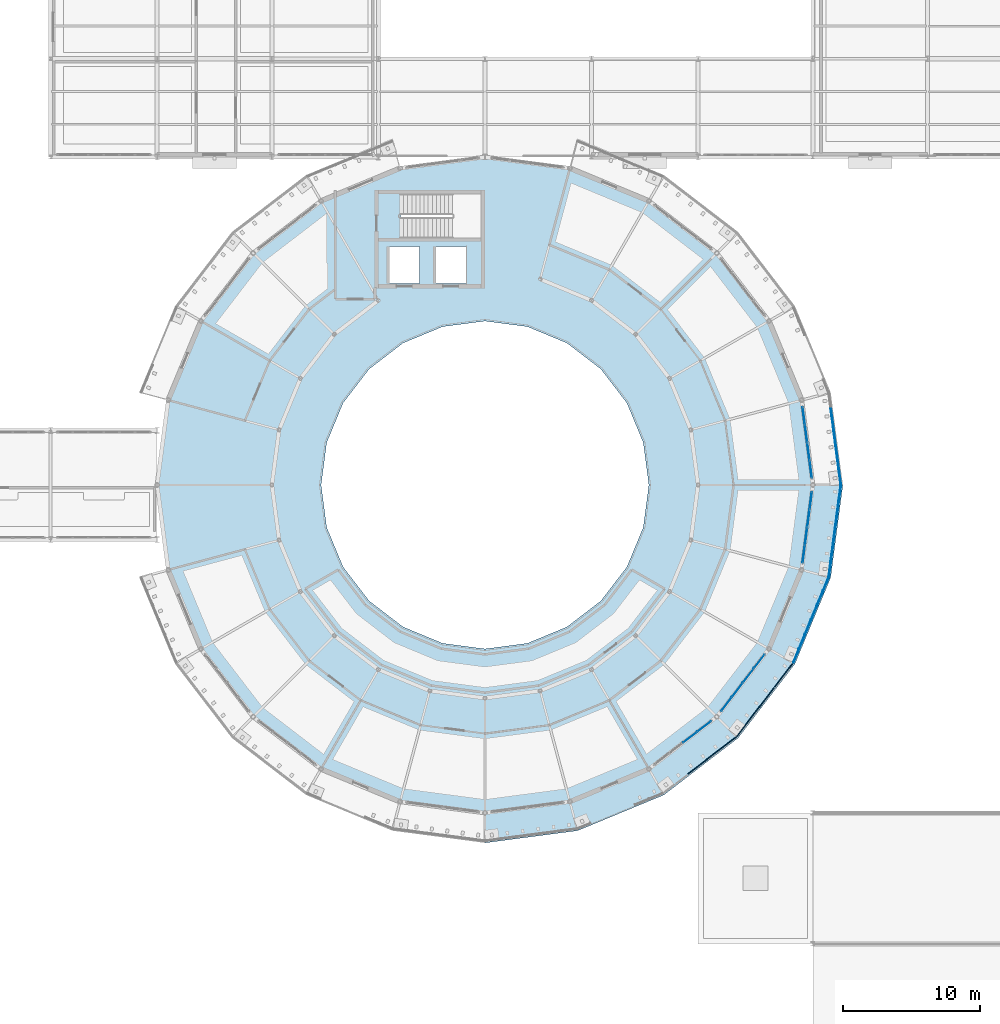
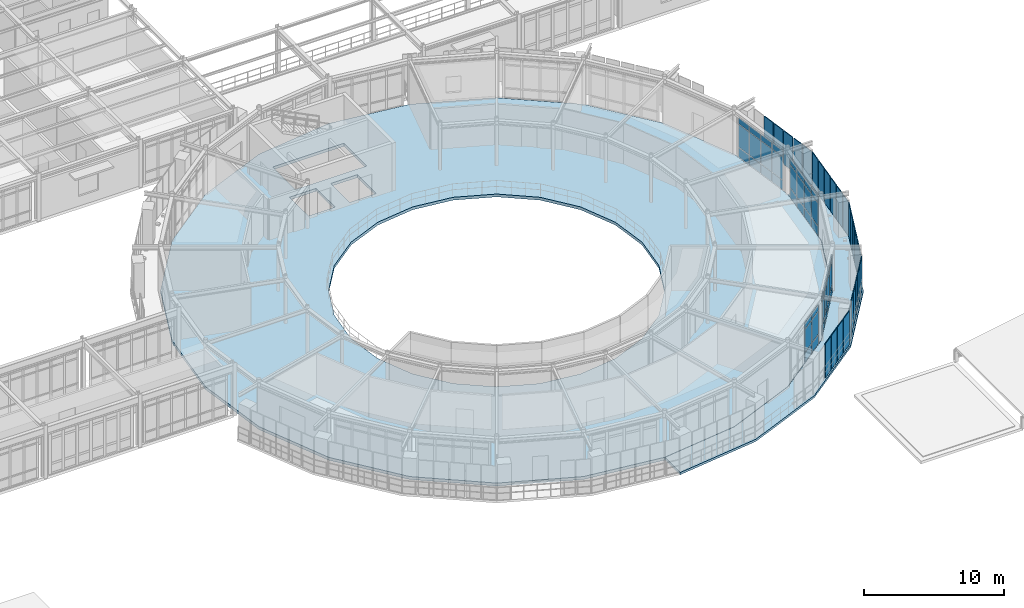
# One storey, part 61 of 90: 69 plates, 2 slabs, 4 elements without a shape of their own.
"""IFC4 building model written with IfcOpenShell, lengths in metres."""

from ifc_helpers import new_model, si_unit, derived_unit, direction, frame, origin, origin_2d, place, context, subcontext, project, spatial, polyline, rectangle, outline, extrude, material, layer, layer_set, type_object, element, aggregate, save


model = new_model("IFC4")

# Units and contexts
model_context = context("Model", 3, precision=1e-05, world=origin(), true_north=direction((0.0, 1.0)))
body_context = subcontext(model_context, "Body", "Model", "MODEL_VIEW")
ifc_project = project(units=[si_unit("LENGTHUNIT", "METRE"), si_unit("AREAUNIT", "SQUARE_METRE"), si_unit("VOLUMEUNIT", "CUBIC_METRE"), si_unit("PLANEANGLEUNIT", "RADIAN"), si_unit("MASSUNIT", "GRAM", prefix="KILO"), derived_unit("THERMALTRANSMITTANCEUNIT", [(si_unit("POWERUNIT", "WATT"), 1), (si_unit("AREAUNIT", "SQUARE_METRE"), -1), (si_unit("THERMODYNAMICTEMPERATUREUNIT", "KELVIN"), -1)])], contexts=[model_context])

# Site, building, storey
site_placement = place(None, origin())
site = spatial("IfcSite", under=ifc_project, at=site_placement, CompositionType="ELEMENT")
building_placement = place(site_placement, origin())
building = spatial("IfcBuilding", under=site, at=building_placement, Name="Yasenodar Specialist Clinic", CompositionType="ELEMENT")
storey_placement = place(building_placement, frame((0.0, 0.0, 9.0)))
storey = spatial("IfcBuildingStorey", under=building, at=storey_placement, Name="L02", CompositionType="ELEMENT", Elevation=9.0)

# Curtain wall, plates
ifc_material_1 = material(Name="Bronze Anodized Aluminium and Triple Low-E Glass", Category="aluminium")
ifc_layer_1 = layer(ifc_material_1, 0.1669921875)
ifc_layer_set_1 = layer_set([ifc_layer_1], Name="Bronze Anodized Aluminium and Triple Low-E Glass")
curtain_wall_type = type_object("IfcCurtainWallType", Name="CW-SYS-01", PredefinedType="USERDEFINED", material=ifc_layer_set_1)
curtain_wall_1_placement = place(storey_placement, origin())
curtain_wall_1 = element("IfcCurtainWall", 1, at=curtain_wall_1_placement, inside=storey, type_object=curtain_wall_type, Name="L02 Unitised Curtain Wall 037", ObjectType="UNITISED CURTAIN WALL", PredefinedType="USERDEFINED")
ifc_material_2 = material(Name="Triple Low-E Argon Glazing", Category="glass")
ifc_layer_2 = layer(ifc_material_2, 0.033935546875)
ifc_layer_set_2 = layer_set([ifc_layer_2], Name="Triple Low-E Argon Glazing")
plate_type_1 = type_object("IfcPlateType", Name="CW-PAN-2", PredefinedType="CURTAIN_PANEL", material=ifc_layer_set_2)
plate_1_placement = place(storey_placement, frame((97.0517578125, 41.124267578125, 0.06005859375), z_axis=(0.0, 0.0, 1.0), x_axis=(-0.793360558574, -0.608752021844, 0.0)))
plate_1 = element("IfcPlate", 2, at=plate_1_placement, type_object=plate_type_1, Name="CW-01 panel 1.1", PredefinedType="CURTAIN_PANEL", context=body_context, shape_type="SweptSolid", body=[
    extrude(rectangle(XDim=1.236328125, YDim=0.033935546875, at=origin_2d()), origin(), (0.0, 0.0, 1.0), 0.81005859375),
])
plate_2_placement = place(storey_placement, frame((97.0517578125, 41.124267578125, 0.929931640625), z_axis=(0.0, 0.0, 1.0), x_axis=(-0.793360558574, -0.608752021844, 0.0)))
plate_2 = element("IfcPlate", 3, at=plate_2_placement, type_object=plate_type_1, Name="CW-01 panel 1.2", PredefinedType="CURTAIN_PANEL", context=body_context, shape_type="SweptSolid", body=[
    extrude(rectangle(XDim=1.236328125, YDim=0.033935546875, at=origin_2d()), origin(), (0.0, 0.0, 1.0), 1.97802734375),
])
plate_3_placement = place(storey_placement, frame((97.0517578125, 41.124267578125, 2.9677734375), z_axis=(0.0, 0.0, 1.0), x_axis=(-0.793360558574, -0.608752021844, 0.0)))
plate_3 = element("IfcPlate", 4, at=plate_3_placement, type_object=plate_type_1, Name="CW-01 panel 1.3", PredefinedType="CURTAIN_PANEL", context=body_context, shape_type="SweptSolid", body=[
    extrude(rectangle(XDim=1.236328125, YDim=0.033935546875, at=origin_2d()), origin(), (0.0, 0.0, 1.0), 0.510009765625),
])
plate_4_placement = place(storey_placement, frame((96.011474609375, 40.326171875, 0.06005859375), z_axis=(0.0, 0.0, 1.0), x_axis=(-0.793360558574, -0.608752021844, 0.0)))
plate_4 = element("IfcPlate", 5, at=plate_4_placement, type_object=plate_type_1, Name="CW-01 panel 2.1", PredefinedType="CURTAIN_PANEL", context=body_context, shape_type="SweptSolid", body=[
    extrude(rectangle(XDim=1.266357421875, YDim=0.033935546875, at=origin_2d()), origin(), (0.0, 0.0, 1.0), 0.81005859375),
])
plate_5_placement = place(storey_placement, frame((96.011474609375, 40.326171875, 0.929931640625), z_axis=(0.0, 0.0, 1.0), x_axis=(-0.793360558574, -0.608752021844, 0.0)))
plate_5 = element("IfcPlate", 6, at=plate_5_placement, type_object=plate_type_1, Name="CW-01 panel 2.2", PredefinedType="CURTAIN_PANEL", context=body_context, shape_type="SweptSolid", body=[
    extrude(rectangle(XDim=1.266357421875, YDim=0.033935546875, at=origin_2d()), origin(), (0.0, 0.0, 1.0), 1.97802734375),
])
plate_6_placement = place(storey_placement, frame((96.011474609375, 40.326171875, 2.9677734375), z_axis=(0.0, 0.0, 1.0), x_axis=(-0.793360558574, -0.608752021844, 0.0)))
plate_6 = element("IfcPlate", 7, at=plate_6_placement, type_object=plate_type_1, Name="CW-01 panel 2.3", PredefinedType="CURTAIN_PANEL", context=body_context, shape_type="SweptSolid", body=[
    extrude(rectangle(XDim=1.266357421875, YDim=0.033935546875, at=origin_2d()), origin(), (0.0, 0.0, 1.0), 0.510009765625),
])
aggregate(curtain_wall_1, [plate_1, plate_2, plate_3, plate_4, plate_5, plate_6])

curtain_wall_2_placement = place(storey_placement, origin())
curtain_wall_2 = element("IfcCurtainWall", 8, at=curtain_wall_2_placement, inside=storey, type_object=curtain_wall_type, Name="L02 Unitised Curtain Wall 026", ObjectType="UNITISED CURTAIN WALL", PredefinedType="USERDEFINED")
ifc_layer_3 = layer(ifc_material_2, 0.0400390625)
ifc_layer_set_3 = layer_set([ifc_layer_3], Name="Triple Low-E Argon Glazing")
plate_type_2 = type_object("IfcPlateType", Name="CW-PAN-3", PredefinedType="CURTAIN_PANEL", material=ifc_layer_set_3)
plate_7_placement = place(storey_placement, frame((104.33349609375, 63.863525390625, 0.06005859375), z_axis=(0.0, 0.0, 1.0), x_axis=(0.13051156024, -0.991446787601, 0.0)))
plate_7 = element("IfcPlate", 9, at=plate_7_placement, type_object=plate_type_2, Name="CW-01 panel 1.1", PredefinedType="CURTAIN_PANEL", context=body_context, shape_type="SweptSolid", body=[
    extrude(rectangle(XDim=1.236328125, YDim=0.0400390625, at=origin_2d()), origin(), (0.0, 0.0, 1.0), 0.81005859375),
])
plate_8_placement = place(storey_placement, frame((104.33349609375, 63.863525390625, 0.929931640625), z_axis=(0.0, 0.0, 1.0), x_axis=(0.13051156024, -0.991446787601, 0.0)))
plate_8 = element("IfcPlate", 10, at=plate_8_placement, type_object=plate_type_2, Name="CW-01 panel 1.2", PredefinedType="CURTAIN_PANEL", context=body_context, shape_type="SweptSolid", body=[
    extrude(rectangle(XDim=1.236328125, YDim=0.0400390625, at=origin_2d()), origin(), (0.0, 0.0, 1.0), 1.97802734375),
])
plate_9_placement = place(storey_placement, frame((104.33349609375, 63.863525390625, 2.9677734375), z_axis=(0.0, 0.0, 1.0), x_axis=(0.13051156024, -0.991446787601, 0.0)))
plate_9 = element("IfcPlate", 11, at=plate_9_placement, type_object=plate_type_2, Name="CW-01 panel 1.3", PredefinedType="CURTAIN_PANEL", context=body_context, shape_type="SweptSolid", body=[
    extrude(rectangle(XDim=1.236328125, YDim=0.0400390625, at=origin_2d()), origin(), (0.0, 0.0, 1.0), 0.510009765625),
])
plate_10_placement = place(storey_placement, frame((104.504638671875, 62.563232421875, 0.06005859375), z_axis=(0.0, 0.0, 1.0), x_axis=(0.13051156024, -0.991446787601, 0.0)))
plate_10 = element("IfcPlate", 12, at=plate_10_placement, type_object=plate_type_2, Name="CW-01 panel 2.1", PredefinedType="CURTAIN_PANEL", context=body_context, shape_type="SweptSolid", body=[
    extrude(rectangle(XDim=1.266357421875, YDim=0.0400390625, at=origin_2d()), origin(), (0.0, 0.0, 1.0), 0.81005859375),
])
plate_11_placement = place(storey_placement, frame((104.504638671875, 62.563232421875, 0.929931640625), z_axis=(0.0, 0.0, 1.0), x_axis=(0.13051156024, -0.991446787601, 0.0)))
plate_11 = element("IfcPlate", 13, at=plate_11_placement, type_object=plate_type_2, Name="CW-01 panel 2.2", PredefinedType="CURTAIN_PANEL", context=body_context, shape_type="SweptSolid", body=[
    extrude(rectangle(XDim=1.266357421875, YDim=0.0400390625, at=origin_2d()), origin(), (0.0, 0.0, 1.0), 1.97802734375),
])
plate_12_placement = place(storey_placement, frame((104.504638671875, 62.563232421875, 2.9677734375), z_axis=(0.0, 0.0, 1.0), x_axis=(0.13051156024, -0.991446787601, 0.0)))
plate_12 = element("IfcPlate", 14, at=plate_12_placement, type_object=plate_type_2, Name="CW-01 panel 2.3", PredefinedType="CURTAIN_PANEL", context=body_context, shape_type="SweptSolid", body=[
    extrude(rectangle(XDim=1.266357421875, YDim=0.0400390625, at=origin_2d()), origin(), (0.0, 0.0, 1.0), 0.510009765625),
])
plate_13_placement = place(storey_placement, frame((104.677734375, 61.248291015625, 0.06005859375), z_axis=(0.0, 0.0, 1.0), x_axis=(0.13051156024, -0.991446787601, 0.0)))
plate_13 = element("IfcPlate", 15, at=plate_13_placement, type_object=plate_type_2, Name="CW-01 panel 3.1", PredefinedType="CURTAIN_PANEL", context=body_context, shape_type="SweptSolid", body=[
    extrude(rectangle(XDim=1.266357421875, YDim=0.0400390625, at=origin_2d()), origin(), (0.0, 0.0, 1.0), 0.81005859375),
])
plate_14_placement = place(storey_placement, frame((104.677734375, 61.248291015625, 0.929931640625), z_axis=(0.0, 0.0, 1.0), x_axis=(0.13051156024, -0.991446787601, 0.0)))
plate_14 = element("IfcPlate", 16, at=plate_14_placement, type_object=plate_type_2, Name="CW-01 panel 3.2", PredefinedType="CURTAIN_PANEL", context=body_context, shape_type="SweptSolid", body=[
    extrude(rectangle(XDim=1.266357421875, YDim=0.0400390625, at=origin_2d()), origin(), (0.0, 0.0, 1.0), 1.97802734375),
])
plate_15_placement = place(storey_placement, frame((104.677734375, 61.248291015625, 2.9677734375), z_axis=(0.0, 0.0, 1.0), x_axis=(0.13051156024, -0.991446787601, 0.0)))
plate_15 = element("IfcPlate", 17, at=plate_15_placement, type_object=plate_type_2, Name="CW-01 panel 3.3", PredefinedType="CURTAIN_PANEL", context=body_context, shape_type="SweptSolid", body=[
    extrude(rectangle(XDim=1.266357421875, YDim=0.0400390625, at=origin_2d()), origin(), (0.0, 0.0, 1.0), 0.510009765625),
])
plate_16_placement = place(storey_placement, frame((104.848876953125, 59.9482421875, 0.06005859375), z_axis=(0.0, 0.0, 1.0), x_axis=(0.13051156024, -0.991446787601, 0.0)))
plate_16 = element("IfcPlate", 18, at=plate_16_placement, type_object=plate_type_2, Name="CW-01 panel 4.1", PredefinedType="CURTAIN_PANEL", context=body_context, shape_type="SweptSolid", body=[
    extrude(rectangle(XDim=1.236328125, YDim=0.0400390625, at=origin_2d()), origin(), (0.0, 0.0, 1.0), 0.81005859375),
])
plate_17_placement = place(storey_placement, frame((104.848876953125, 59.9482421875, 0.929931640625), z_axis=(0.0, 0.0, 1.0), x_axis=(0.13051156024, -0.991446787601, 0.0)))
plate_17 = element("IfcPlate", 19, at=plate_17_placement, type_object=plate_type_2, Name="CW-01 panel 4.2", PredefinedType="CURTAIN_PANEL", context=body_context, shape_type="SweptSolid", body=[
    extrude(rectangle(XDim=1.236328125, YDim=0.0400390625, at=origin_2d()), origin(), (0.0, 0.0, 1.0), 1.97802734375),
])
plate_18_placement = place(storey_placement, frame((104.848876953125, 59.9482421875, 2.9677734375), z_axis=(0.0, 0.0, 1.0), x_axis=(0.13051156024, -0.991446787601, 0.0)))
plate_18 = element("IfcPlate", 20, at=plate_18_placement, type_object=plate_type_2, Name="CW-01 panel 4.3", PredefinedType="CURTAIN_PANEL", context=body_context, shape_type="SweptSolid", body=[
    extrude(rectangle(XDim=1.236328125, YDim=0.0400390625, at=origin_2d()), origin(), (0.0, 0.0, 1.0), 0.510009765625),
])
aggregate(curtain_wall_2, [plate_7, plate_8, plate_9, plate_10, plate_11, plate_12, plate_13, plate_14, plate_15, plate_16, plate_17, plate_18])

curtain_wall_3_placement = place(storey_placement, origin())
curtain_wall_3 = element("IfcCurtainWall", 21, at=curtain_wall_3_placement, inside=storey, type_object=curtain_wall_type, Name="L02 Unitised Curtain Wall 038", ObjectType="UNITISED CURTAIN WALL", PredefinedType="USERDEFINED")
plate_19_placement = place(storey_placement, frame((101.07958984375, 45.881103515625, 0.06005859375), z_axis=(0.0, 0.0, 1.0), x_axis=(-0.608752021844, -0.793360558574, 0.0)))
plate_19 = element("IfcPlate", 22, at=plate_19_placement, type_object=plate_type_2, Name="CW-01 panel 1.1", PredefinedType="CURTAIN_PANEL", context=body_context, shape_type="SweptSolid", body=[
    extrude(rectangle(XDim=1.236328125, YDim=0.0400390625, at=origin_2d()), origin(), (0.0, 0.0, 1.0), 0.81005859375),
])
plate_20_placement = place(storey_placement, frame((101.07958984375, 45.881103515625, 0.929931640625), z_axis=(0.0, 0.0, 1.0), x_axis=(-0.608752021844, -0.793360558574, 0.0)))
plate_20 = element("IfcPlate", 23, at=plate_20_placement, type_object=plate_type_2, Name="CW-01 panel 1.2", PredefinedType="CURTAIN_PANEL", context=body_context, shape_type="SweptSolid", body=[
    extrude(rectangle(XDim=1.236328125, YDim=0.0400390625, at=origin_2d()), origin(), (0.0, 0.0, 1.0), 1.97802734375),
])
plate_21_placement = place(storey_placement, frame((101.07958984375, 45.881103515625, 2.9677734375), z_axis=(0.0, 0.0, 1.0), x_axis=(-0.608752021844, -0.793360558574, 0.0)))
plate_21 = element("IfcPlate", 24, at=plate_21_placement, type_object=plate_type_2, Name="CW-01 panel 1.3", PredefinedType="CURTAIN_PANEL", context=body_context, shape_type="SweptSolid", body=[
    extrude(rectangle(XDim=1.236328125, YDim=0.0400390625, at=origin_2d()), origin(), (0.0, 0.0, 1.0), 0.510009765625),
])
plate_22_placement = place(storey_placement, frame((100.28125, 44.8408203125, 0.06005859375), z_axis=(0.0, 0.0, 1.0), x_axis=(-0.608752021844, -0.793360558574, 0.0)))
plate_22 = element("IfcPlate", 25, at=plate_22_placement, type_object=plate_type_2, Name="CW-01 panel 2.1", PredefinedType="CURTAIN_PANEL", context=body_context, shape_type="SweptSolid", body=[
    extrude(rectangle(XDim=1.266357421875, YDim=0.0400390625, at=origin_2d()), origin(), (0.0, 0.0, 1.0), 0.81005859375),
])
plate_23_placement = place(storey_placement, frame((100.28125, 44.8408203125, 0.929931640625), z_axis=(0.0, 0.0, 1.0), x_axis=(-0.608752021844, -0.793360558574, 0.0)))
plate_23 = element("IfcPlate", 26, at=plate_23_placement, type_object=plate_type_2, Name="CW-01 panel 2.2", PredefinedType="CURTAIN_PANEL", context=body_context, shape_type="SweptSolid", body=[
    extrude(rectangle(XDim=1.266357421875, YDim=0.0400390625, at=origin_2d()), origin(), (0.0, 0.0, 1.0), 1.97802734375),
])
plate_24_placement = place(storey_placement, frame((100.28125, 44.8408203125, 2.9677734375), z_axis=(0.0, 0.0, 1.0), x_axis=(-0.608752021844, -0.793360558574, 0.0)))
plate_24 = element("IfcPlate", 27, at=plate_24_placement, type_object=plate_type_2, Name="CW-01 panel 2.3", PredefinedType="CURTAIN_PANEL", context=body_context, shape_type="SweptSolid", body=[
    extrude(rectangle(XDim=1.266357421875, YDim=0.0400390625, at=origin_2d()), origin(), (0.0, 0.0, 1.0), 0.510009765625),
])
plate_25_placement = place(storey_placement, frame((99.473876953125, 43.78857421875, 0.06005859375), z_axis=(0.0, 0.0, 1.0), x_axis=(-0.608752021844, -0.793360558574, 0.0)))
plate_25 = element("IfcPlate", 28, at=plate_25_placement, type_object=plate_type_2, Name="CW-01 panel 3.1", PredefinedType="CURTAIN_PANEL", context=body_context, shape_type="SweptSolid", body=[
    extrude(rectangle(XDim=1.266357421875, YDim=0.0400390625, at=origin_2d()), origin(), (0.0, 0.0, 1.0), 0.81005859375),
])
plate_26_placement = place(storey_placement, frame((99.473876953125, 43.78857421875, 0.929931640625), z_axis=(0.0, 0.0, 1.0), x_axis=(-0.608752021844, -0.793360558574, 0.0)))
plate_26 = element("IfcPlate", 29, at=plate_26_placement, type_object=plate_type_2, Name="CW-01 panel 3.2", PredefinedType="CURTAIN_PANEL", context=body_context, shape_type="SweptSolid", body=[
    extrude(rectangle(XDim=1.266357421875, YDim=0.0400390625, at=origin_2d()), origin(), (0.0, 0.0, 1.0), 1.97802734375),
])
plate_27_placement = place(storey_placement, frame((99.473876953125, 43.78857421875, 2.9677734375), z_axis=(0.0, 0.0, 1.0), x_axis=(-0.608752021844, -0.793360558574, 0.0)))
plate_27 = element("IfcPlate", 30, at=plate_27_placement, type_object=plate_type_2, Name="CW-01 panel 3.3", PredefinedType="CURTAIN_PANEL", context=body_context, shape_type="SweptSolid", body=[
    extrude(rectangle(XDim=1.266357421875, YDim=0.0400390625, at=origin_2d()), origin(), (0.0, 0.0, 1.0), 0.510009765625),
])
plate_28_placement = place(storey_placement, frame((98.675537109375, 42.748291015625, 0.06005859375), z_axis=(0.0, 0.0, 1.0), x_axis=(-0.608752021844, -0.793360558574, 0.0)))
plate_28 = element("IfcPlate", 31, at=plate_28_placement, type_object=plate_type_2, Name="CW-01 panel 4.1", PredefinedType="CURTAIN_PANEL", context=body_context, shape_type="SweptSolid", body=[
    extrude(rectangle(XDim=1.236328125, YDim=0.0400390625, at=origin_2d()), origin(), (0.0, 0.0, 1.0), 0.81005859375),
])
plate_29_placement = place(storey_placement, frame((98.675537109375, 42.748291015625, 0.929931640625), z_axis=(0.0, 0.0, 1.0), x_axis=(-0.608752021844, -0.793360558574, 0.0)))
plate_29 = element("IfcPlate", 32, at=plate_29_placement, type_object=plate_type_2, Name="CW-01 panel 4.2", PredefinedType="CURTAIN_PANEL", context=body_context, shape_type="SweptSolid", body=[
    extrude(rectangle(XDim=1.236328125, YDim=0.0400390625, at=origin_2d()), origin(), (0.0, 0.0, 1.0), 1.97802734375),
])
plate_30_placement = place(storey_placement, frame((98.675537109375, 42.748291015625, 2.9677734375), z_axis=(0.0, 0.0, 1.0), x_axis=(-0.608752021844, -0.793360558574, 0.0)))
plate_30 = element("IfcPlate", 33, at=plate_30_placement, type_object=plate_type_2, Name="CW-01 panel 4.3", PredefinedType="CURTAIN_PANEL", context=body_context, shape_type="SweptSolid", body=[
    extrude(rectangle(XDim=1.236328125, YDim=0.0400390625, at=origin_2d()), origin(), (0.0, 0.0, 1.0), 0.510009765625),
])
aggregate(curtain_wall_3, [plate_19, plate_20, plate_21, plate_22, plate_23, plate_24, plate_25, plate_26, plate_27, plate_28, plate_29, plate_30])

curtain_wall_4_placement = place(storey_placement, origin())
curtain_wall_4 = element("IfcCurtainWall", 34, at=curtain_wall_4_placement, inside=storey, type_object=curtain_wall_type, Name="L02 Unitised Curtain Wall 039", ObjectType="UNITISED CURTAIN WALL", PredefinedType="USERDEFINED")
ifc_layer_4 = layer(ifc_material_2, 0.0458984375)
ifc_layer_set_4 = layer_set([ifc_layer_4], Name="Triple Low-E Argon Glazing")
plate_type_3 = type_object("IfcPlateType", Name="CW-PAN-4", PredefinedType="CURTAIN_PANEL", material=ifc_layer_set_4)
plate_31_placement = place(storey_placement, frame((104.848876953125, 57.65185546875, 0.06005859375), z_axis=(0.0, 0.0, 1.0), x_axis=(-0.13051156024, -0.991446787601, 0.0)))
plate_31 = element("IfcPlate", 35, at=plate_31_placement, type_object=plate_type_3, Name="CW-01 panel 1.1", PredefinedType="CURTAIN_PANEL", context=body_context, shape_type="SweptSolid", body=[
    extrude(rectangle(XDim=1.236328125, YDim=0.0458984375, at=origin_2d()), origin(), (0.0, 0.0, 1.0), 0.81005859375),
])
plate_32_placement = place(storey_placement, frame((104.848876953125, 57.65185546875, 0.929931640625), z_axis=(0.0, 0.0, 1.0), x_axis=(-0.13051156024, -0.991446787601, 0.0)))
plate_32 = element("IfcPlate", 36, at=plate_32_placement, type_object=plate_type_3, Name="CW-01 panel 1.2", PredefinedType="CURTAIN_PANEL", context=body_context, shape_type="SweptSolid", body=[
    extrude(rectangle(XDim=1.236328125, YDim=0.0458984375, at=origin_2d()), origin(), (0.0, 0.0, 1.0), 1.97802734375),
])
plate_33_placement = place(storey_placement, frame((104.848876953125, 57.65185546875, 2.9677734375), z_axis=(0.0, 0.0, 1.0), x_axis=(-0.13051156024, -0.991446787601, 0.0)))
plate_33 = element("IfcPlate", 37, at=plate_33_placement, type_object=plate_type_3, Name="CW-01 panel 1.3", PredefinedType="CURTAIN_PANEL", context=body_context, shape_type="SweptSolid", body=[
    extrude(rectangle(XDim=1.236328125, YDim=0.0458984375, at=origin_2d()), origin(), (0.0, 0.0, 1.0), 0.510009765625),
])
plate_34_placement = place(storey_placement, frame((104.677734375, 56.3515625, 0.06005859375), z_axis=(0.0, 0.0, 1.0), x_axis=(-0.13051156024, -0.991446787601, 0.0)))
plate_34 = element("IfcPlate", 38, at=plate_34_placement, type_object=plate_type_3, Name="CW-01 panel 2.1", PredefinedType="CURTAIN_PANEL", context=body_context, shape_type="SweptSolid", body=[
    extrude(rectangle(XDim=1.266357421875, YDim=0.0458984375, at=origin_2d()), origin(), (0.0, 0.0, 1.0), 0.81005859375),
])
plate_35_placement = place(storey_placement, frame((104.677734375, 56.3515625, 0.929931640625), z_axis=(0.0, 0.0, 1.0), x_axis=(-0.13051156024, -0.991446787601, 0.0)))
plate_35 = element("IfcPlate", 39, at=plate_35_placement, type_object=plate_type_3, Name="CW-01 panel 2.2", PredefinedType="CURTAIN_PANEL", context=body_context, shape_type="SweptSolid", body=[
    extrude(rectangle(XDim=1.266357421875, YDim=0.0458984375, at=origin_2d()), origin(), (0.0, 0.0, 1.0), 1.97802734375),
])
plate_36_placement = place(storey_placement, frame((104.677734375, 56.3515625, 2.9677734375), z_axis=(0.0, 0.0, 1.0), x_axis=(-0.13051156024, -0.991446787601, 0.0)))
plate_36 = element("IfcPlate", 40, at=plate_36_placement, type_object=plate_type_3, Name="CW-01 panel 2.3", PredefinedType="CURTAIN_PANEL", context=body_context, shape_type="SweptSolid", body=[
    extrude(rectangle(XDim=1.266357421875, YDim=0.0458984375, at=origin_2d()), origin(), (0.0, 0.0, 1.0), 0.510009765625),
])
plate_37_placement = place(storey_placement, frame((104.504638671875, 55.03662109375, 0.06005859375), z_axis=(0.0, 0.0, 1.0), x_axis=(-0.13051156024, -0.991446787601, 0.0)))
plate_37 = element("IfcPlate", 41, at=plate_37_placement, type_object=plate_type_3, Name="CW-01 panel 3.1", PredefinedType="CURTAIN_PANEL", context=body_context, shape_type="SweptSolid", body=[
    extrude(rectangle(XDim=1.266357421875, YDim=0.0458984375, at=origin_2d()), origin(), (0.0, 0.0, 1.0), 0.81005859375),
])
plate_38_placement = place(storey_placement, frame((104.504638671875, 55.03662109375, 0.929931640625), z_axis=(0.0, 0.0, 1.0), x_axis=(-0.13051156024, -0.991446787601, 0.0)))
plate_38 = element("IfcPlate", 42, at=plate_38_placement, type_object=plate_type_3, Name="CW-01 panel 3.2", PredefinedType="CURTAIN_PANEL", context=body_context, shape_type="SweptSolid", body=[
    extrude(rectangle(XDim=1.266357421875, YDim=0.0458984375, at=origin_2d()), origin(), (0.0, 0.0, 1.0), 1.97802734375),
])
plate_39_placement = place(storey_placement, frame((104.504638671875, 55.03662109375, 2.9677734375), z_axis=(0.0, 0.0, 1.0), x_axis=(-0.13051156024, -0.991446787601, 0.0)))
plate_39 = element("IfcPlate", 43, at=plate_39_placement, type_object=plate_type_3, Name="CW-01 panel 3.3", PredefinedType="CURTAIN_PANEL", context=body_context, shape_type="SweptSolid", body=[
    extrude(rectangle(XDim=1.266357421875, YDim=0.0458984375, at=origin_2d()), origin(), (0.0, 0.0, 1.0), 0.510009765625),
])
plate_40_placement = place(storey_placement, frame((104.33349609375, 53.736572265625, 0.06005859375), z_axis=(0.0, 0.0, 1.0), x_axis=(-0.13051156024, -0.991446787601, 0.0)))
plate_40 = element("IfcPlate", 44, at=plate_40_placement, type_object=plate_type_3, Name="CW-01 panel 4.1", PredefinedType="CURTAIN_PANEL", context=body_context, shape_type="SweptSolid", body=[
    extrude(rectangle(XDim=1.236328125, YDim=0.0458984375, at=origin_2d()), origin(), (0.0, 0.0, 1.0), 0.81005859375),
])
plate_41_placement = place(storey_placement, frame((104.33349609375, 53.736572265625, 0.929931640625), z_axis=(0.0, 0.0, 1.0), x_axis=(-0.13051156024, -0.991446787601, 0.0)))
plate_41 = element("IfcPlate", 45, at=plate_41_placement, type_object=plate_type_3, Name="CW-01 panel 4.2", PredefinedType="CURTAIN_PANEL", context=body_context, shape_type="SweptSolid", body=[
    extrude(rectangle(XDim=1.236328125, YDim=0.0458984375, at=origin_2d()), origin(), (0.0, 0.0, 1.0), 1.97802734375),
])
plate_42_placement = place(storey_placement, frame((104.33349609375, 53.736572265625, 2.9677734375), z_axis=(0.0, 0.0, 1.0), x_axis=(-0.13051156024, -0.991446787601, 0.0)))
plate_42 = element("IfcPlate", 46, at=plate_42_placement, type_object=plate_type_3, Name="CW-01 panel 4.3", PredefinedType="CURTAIN_PANEL", context=body_context, shape_type="SweptSolid", body=[
    extrude(rectangle(XDim=1.236328125, YDim=0.0458984375, at=origin_2d()), origin(), (0.0, 0.0, 1.0), 0.510009765625),
])
aggregate(curtain_wall_4, [plate_31, plate_32, plate_33, plate_34, plate_35, plate_36, plate_37, plate_38, plate_39, plate_40, plate_41, plate_42])

# Plates
ifc_material_3 = material(Name="Thermally Modified Larch and Bronze Girih Jali Screen")
ifc_layer_5 = layer(ifc_material_3, 0.06494140625)
ifc_layer_set_5 = layer_set([ifc_layer_5], Name="Thermally Modified Larch and Bronze Girih Jali Screen")
plate_type_4 = type_object("IfcPlateType", Name="PL-JALI-850", PredefinedType="USERDEFINED", material=ifc_layer_set_5)
for number, where, z_axis, x_axis, name in (
    (47, (106.98681640625, 59.3466796875, 0.0048828125), (0.0, 0.0, 1.0), (-0.130519185854, 0.991445783754, 0.0), "L02 Sliding Timber-Bronze Jali Shutter Screen 0109"),
    (48, (106.837890625, 60.47705078125, 0.0048828125), (0.0, 0.0, 1.0), (-0.130519185854, 0.991445783754, 0.0), "L02 Sliding Timber-Bronze Jali Shutter Screen 0110"),
    (49, (106.689208984375, 61.607177734375, 0.0048828125), (0.0, 0.0, 1.0), (-0.130519185854, 0.991445783754, 0.0), "L02 Sliding Timber-Bronze Jali Shutter Screen 0111"),
    (50, (106.54052734375, 62.7373046875, 0.0048828125), (0.0, 0.0, 1.0), (-0.130519185854, 0.991445783754, 0.0), "L02 Sliding Timber-Bronze Jali Shutter Screen 0112"),
    (51, (106.3916015625, 63.86767578125, 0.0048828125), (0.0, 0.0, 1.0), (-0.130519185854, 0.991445783754, 0.0), "L02 Sliding Timber-Bronze Jali Shutter Screen 0113"),
    (52, (96.275634765625, 37.9560546875, 0.0048828125), (0.0, 0.0, 1.0), (0.793351200869, 0.608764217148, 0.0), "L02 Sliding Timber-Bronze Jali Shutter Screen 0195"),
    (53, (97.18017578125, 38.64990234375, 0.0048828125), (0.0, 0.0, 1.0), (0.793351200869, 0.608764217148, 0.0), "L02 Sliding Timber-Bronze Jali Shutter Screen 0196"),
    (54, (98.08447265625, 39.343994140625, 0.0048828125), (0.0, 0.0, 1.0), (0.793351200869, 0.608764217148, 0.0), "L02 Sliding Timber-Bronze Jali Shutter Screen 0197"),
    (55, (98.98876953125, 40.037841796875, 0.0048828125), (0.0, 0.0, 1.0), (0.793351200869, 0.608764217148, 0.0), "L02 Sliding Timber-Bronze Jali Shutter Screen 0198"),
    (56, (99.76220703125, 40.811279296875, 0.0048828125), (0.0, 0.0, 1.0), (0.608764217148, 0.793351200869, 0.0), "L02 Sliding Timber-Bronze Jali Shutter Screen 0199"),
    (57, (100.4560546875, 41.715576171875, 0.0048828125), (0.0, 0.0, 1.0), (0.608764217148, 0.793351200869, 0.0), "L02 Sliding Timber-Bronze Jali Shutter Screen 0200"),
    (58, (101.14990234375, 42.619873046875, 0.0048828125), (0.0, 0.0, 1.0), (0.608764217148, 0.793351200869, 0.0), "L02 Sliding Timber-Bronze Jali Shutter Screen 0201"),
    (59, (101.843994140625, 43.5244140625, 0.0048828125), (0.0, 0.0, 1.0), (0.608764217148, 0.793351200869, 0.0), "L02 Sliding Timber-Bronze Jali Shutter Screen 0202"),
    (60, (102.537841796875, 44.4287109375, 0.0048828125), (0.0, 0.0, 1.0), (0.608764217148, 0.793351200869, 0.0), "L02 Sliding Timber-Bronze Jali Shutter Screen 0203"),
    (61, (103.23193359375, 45.3330078125, 0.0048828125), (0.0, 0.0, 1.0), (0.608764217148, 0.793351200869, 0.0), "L02 Sliding Timber-Bronze Jali Shutter Screen 0204"),
    (62, (103.77880859375, 46.2802734375, 0.0048828125), (0.0, 0.0, 1.0), (0.382686667195, 0.923878192594, 0.0), "L02 Sliding Timber-Bronze Jali Shutter Screen 0205"),
    (63, (104.21484375, 47.333251953125, 0.0048828125), (0.0, 0.0, 1.0), (0.382686667195, 0.923878192594, 0.0), "L02 Sliding Timber-Bronze Jali Shutter Screen 0206"),
    (64, (104.651123046875, 48.386474609375, 0.0048828125), (0.0, 0.0, 1.0), (0.382686667195, 0.923878192594, 0.0), "L02 Sliding Timber-Bronze Jali Shutter Screen 0207"),
    (65, (105.08740234375, 49.439697265625, 0.0048828125), (0.0, 0.0, 1.0), (0.382686667195, 0.923878192594, 0.0), "L02 Sliding Timber-Bronze Jali Shutter Screen 0208"),
    (66, (105.523681640625, 50.492919921875, 0.0048828125), (0.0, 0.0, 1.0), (0.382686667195, 0.923878192594, 0.0), "L02 Sliding Timber-Bronze Jali Shutter Screen 0209"),
    (67, (105.959716796875, 51.5458984375, 0.0048828125), (0.0, 0.0, 1.0), (0.382686667195, 0.923878192594, 0.0), "L02 Sliding Timber-Bronze Jali Shutter Screen 0210"),
    (68, (106.242919921875, 52.602294921875, 0.0048828125), (0.0, 0.0, 1.0), (0.130519185854, 0.991445783754, 0.0), "L02 Sliding Timber-Bronze Jali Shutter Screen 0211"),
    (69, (106.3916015625, 53.732421875, 0.0048828125), (0.0, 0.0, 1.0), (0.130519185854, 0.991445783754, 0.0), "L02 Sliding Timber-Bronze Jali Shutter Screen 0212"),
    (70, (106.54052734375, 54.862548828125, 0.0048828125), (0.0, 0.0, 1.0), (0.130519185854, 0.991445783754, 0.0), "L02 Sliding Timber-Bronze Jali Shutter Screen 0213"),
    (71, (106.689208984375, 55.992919921875, 0.0048828125), (0.0, 0.0, 1.0), (0.130519185854, 0.991445783754, 0.0), "L02 Sliding Timber-Bronze Jali Shutter Screen 0214"),
    (72, (106.837890625, 57.123046875, 0.0048828125), (0.0, 0.0, 1.0), (0.130519185854, 0.991445783754, 0.0), "L02 Sliding Timber-Bronze Jali Shutter Screen 0215"),
    (73, (106.98681640625, 58.253173828125, 0.0048828125), (0.0, 0.0, 1.0), (0.130519185854, 0.991445783754, 0.0), "L02 Sliding Timber-Bronze Jali Shutter Screen 0216"),
):
    element("IfcPlate", number, at=place(storey_placement, frame(where, z_axis=z_axis, x_axis=x_axis)), inside=storey, type_object=plate_type_4, Name=name, ObjectType="SCREEN_PANEL", PredefinedType="USERDEFINED", context=body_context, shape_type="SweptSolid", body=[
        extrude(rectangle(XDim=1.0400390625, YDim=0.06494140625, at=origin_2d()), origin(), (0.0, 0.0, 1.0), 2.949951171875),
    ])

# Slabs
ifc_material_4 = material(Name="Concrete C30/37", Category="concrete")
ifc_layer_6 = layer(ifc_material_4, 0.195068359375)
ifc_layer_set_6 = layer_set([ifc_layer_6], Name="Concrete C30/37")
slab_type_1 = type_object("IfcSlabType", Name="SLB-BALC-195", PredefinedType="FLOOR", material=ifc_layer_set_6)
slab_1_placement = place(storey_placement, frame((0.0, 0.0, -0.195068359375)))
element("IfcSlab", 74, at=slab_1_placement, inside=storey, type_object=slab_type_1, Name="L02 Drum V1 Balcony Sector 4", PredefinedType="FLOOR", context=body_context, shape_type="SweptSolid", body=[
    extrude(outline(polyline([(106.307373046875, 52.018798828125), (103.68994140625, 45.699951171875), (99.526123046875, 40.273681640625), (94.10009765625, 36.110107421875), (87.781005859375, 33.49267578125), (81.014892578125, 32.60205078125), (81.014892578125, 34.786865234375), (87.215576171875, 35.603271484375), (93.007568359375, 38.002197265625), (97.981201171875, 41.818603515625), (101.797607421875, 46.79248046875), (104.19677734375, 52.58447265625), (105.01318359375, 58.784912109375), (107.197998046875, 58.784912109375), (106.307373046875, 52.018798828125)])), origin(), (0.0, 0.0, 1.0), 0.195068359375),
])
ifc_layer_7 = layer(ifc_material_4, 0.25)
ifc_layer_set_7 = layer_set([ifc_layer_7], Name="Concrete C30/37")
slab_type_2 = type_object("IfcSlabType", Name="SLB-FLR-250", PredefinedType="FLOOR", material=ifc_layer_set_7)
slab_2_placement = place(storey_placement, frame((0.0, 0.0, -0.25)))
element("IfcSlab", 75, at=slab_2_placement, inside=storey, type_object=slab_type_2, Name="L02 V1 structural slab", PredefinedType="FLOOR", context=body_context, shape_type="SweptSolid", body=[
    extrude(outline(polyline([(105.0, 58.800048828125), (104.18212890625, 65.01171875), (101.78466796875, 70.800048828125), (97.970703125, 75.7705078125), (93.0, 79.584716796875), (87.211669921875, 81.982177734375), (81.0, 82.800048828125), (74.788330078125, 81.982177734375), (69.0, 79.584716796875), (64.029296875, 75.7705078125), (60.21533203125, 70.800048828125), (57.81787109375, 65.01171875), (57.0, 58.800048828125), (57.81787109375, 52.58837890625), (60.21533203125, 46.800048828125), (64.029296875, 41.829345703125), (69.0, 38.015380859375), (74.788330078125, 35.617919921875), (81.0, 34.800048828125), (87.211669921875, 35.617919921875), (93.0, 38.015380859375), (97.970703125, 41.829345703125), (101.78466796875, 46.800048828125), (104.18212890625, 52.58837890625), (105.0, 58.800048828125)]), holes=[polyline([(74.830078125, 76.860107421875), (80.719970703125, 76.860107421875), (80.719970703125, 80.110107421875), (74.830078125, 80.110107421875), (74.830078125, 76.860107421875)]), polyline([(74.0, 73.550048828125), (76.199951171875, 73.550048828125), (76.199951171875, 76.25), (74.0, 76.25), (74.0, 73.550048828125)]), polyline([(77.39990234375, 73.550048828125), (79.60009765625, 73.550048828125), (79.60009765625, 76.25), (77.39990234375, 76.25), (77.39990234375, 73.550048828125)]), polyline([(93.0, 58.800048828125), (92.591064453125, 61.90576171875), (91.392333984375, 64.800048828125), (89.4853515625, 67.285400390625), (87.0, 69.1923828125), (84.105712890625, 70.39111328125), (81.0, 70.800048828125), (77.894287109375, 70.39111328125), (75.0, 69.1923828125), (72.5146484375, 67.285400390625), (70.607666015625, 64.800048828125), (69.408935546875, 61.90576171875), (69.0, 58.800048828125), (69.408935546875, 55.694091796875), (70.607666015625, 52.800048828125), (72.5146484375, 50.314697265625), (75.0, 48.40771484375), (77.894287109375, 47.208984375), (81.0, 46.800048828125), (84.105712890625, 47.208984375), (87.0, 48.40771484375), (89.4853515625, 50.314697265625), (91.392333984375, 52.800048828125), (92.591064453125, 55.694091796875), (93.0, 58.800048828125)])]), origin(), (0.0, 0.0, 1.0), 0.25),
])

save(model, "model.ifc")
